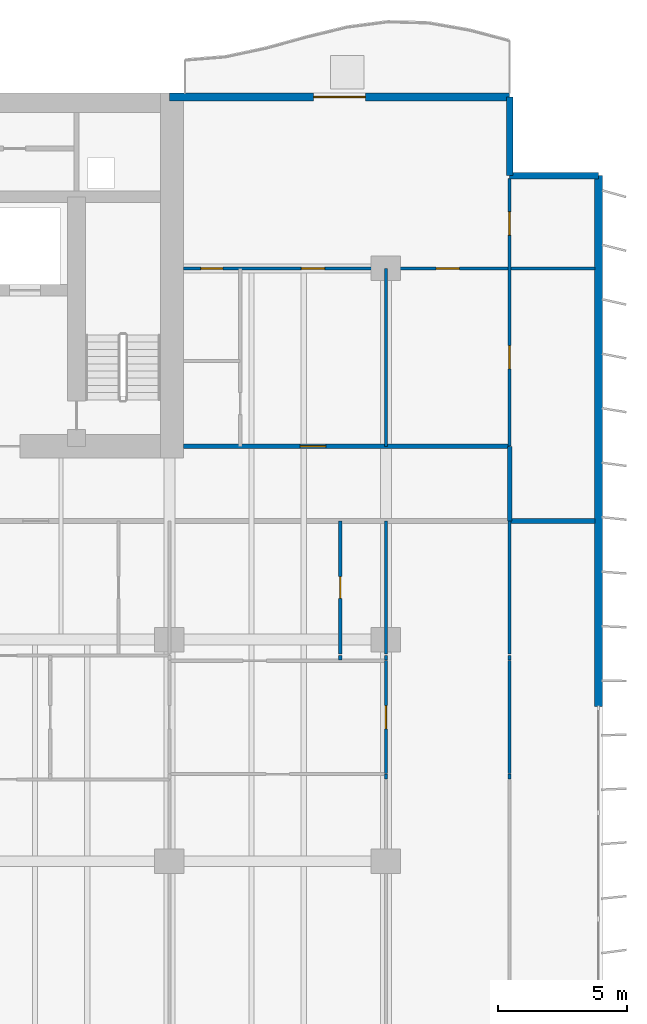
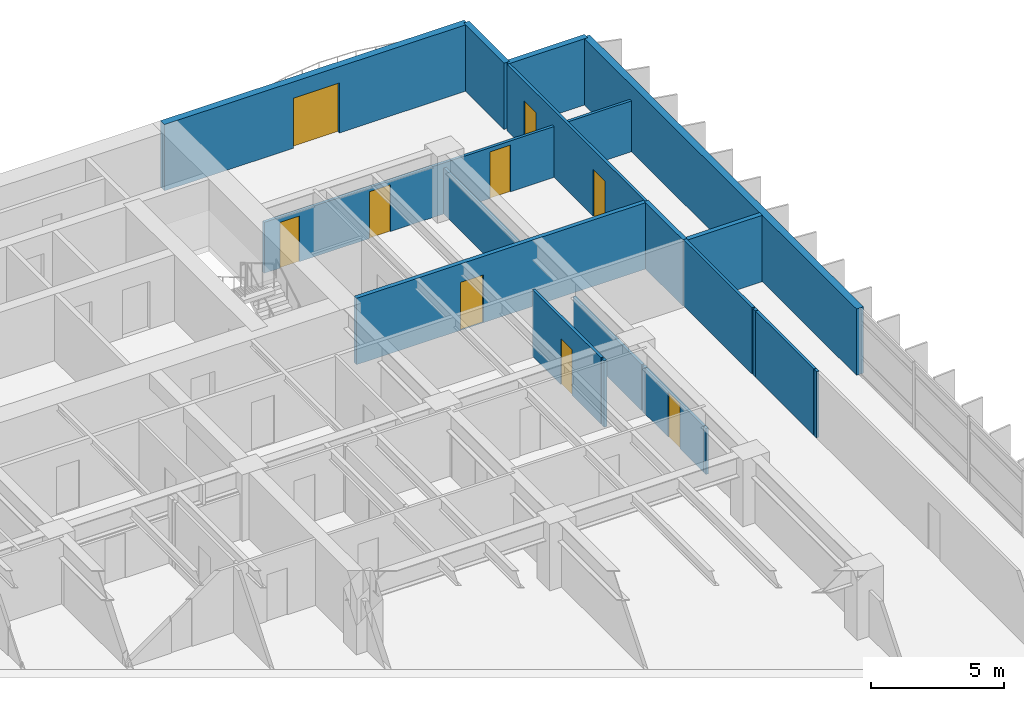
# One storey, part 13 of 18: 20 walls, 9 doors, 9 openings.
"""IFC4 building model written with IfcOpenShell, lengths in metres."""

from ifc_helpers import new_model, si_unit, direction, frame, frame_2d, origin, place, context, subcontext, project, spatial, rectangle, extrude, material, layer, layer_set, type_object, element, fill, save


model = new_model("IFC4")

# Units and contexts
model_context = context("Model", 3, precision=1e-05, world=origin(), true_north=direction((0.0, 1.0)))
body_context = subcontext(model_context, "Body", "Model", "MODEL_VIEW")
ifc_project = project(units=[si_unit("LENGTHUNIT", "METRE"), si_unit("AREAUNIT", "SQUARE_METRE"), si_unit("VOLUMEUNIT", "CUBIC_METRE"), si_unit("PLANEANGLEUNIT", "RADIAN"), si_unit("MASSUNIT", "GRAM", prefix="KILO")], contexts=[model_context])

# Site, building, storey
site_placement = place(None, origin())
site = spatial("IfcSite", under=ifc_project, at=site_placement, CompositionType="ELEMENT")
building_placement = place(site_placement, origin())
building = spatial("IfcBuilding", under=site, at=building_placement, Name="Caelmar Bay Residences", CompositionType="ELEMENT")
storey_placement = place(building_placement, frame((0.0, 0.0, 46.5)))
storey = spatial("IfcBuildingStorey", under=building, at=storey_placement, Name="L11", CompositionType="ELEMENT", Elevation=46.5)

# Wall
ifc_material_1 = material(Name="Double-stud acoustic fire-rated gypsum partition 180 mm")
ifc_layer_1 = layer(ifc_material_1, 0.179931640625)
ifc_layer_set_1 = layer_set([ifc_layer_1], Name="Double-stud acoustic fire-rated gypsum partition 180 mm")
wall_type_1 = type_object("IfcWallType", Name="W-COR-200", PredefinedType="PARTITIONING", material=ifc_layer_set_1)
wall_1_placement = place(storey_placement, frame((72.699951171875, 34.0048828125, 0.0), z_axis=(0.0, 0.0, 1.0), x_axis=(0.0, 1.0, 0.0)))
element("IfcWall", 1, at=wall_1_placement, inside=storey, type_object=wall_type_1, Name="L11 Partition Wall V111", PredefinedType="PARTITIONING", context=body_context, shape_type="SweptSolid", body=[
    extrude(rectangle(XDim=2.89501953125, YDim=0.179931640625, at=frame_2d((1.447509765625, 0.0))), origin(), (0.0, 0.0, 1.0), 3.050048828125),
])

# Wall, opening, door
wall_2_placement = place(storey_placement, frame((60.054931640625, 36.89990234375, 0.0), z_axis=(0.0, 0.0, 1.0), x_axis=(1.0, 0.0, 0.0)))
wall_2 = element("IfcWall", 2, at=wall_2_placement, inside=storey, type_object=wall_type_1, Name="L11 Partition Wall H140", PredefinedType="PARTITIONING", context=body_context, shape_type="SweptSolid", body=[
    extrude(rectangle(XDim=12.64501953125, YDim=0.179931640625, at=frame_2d((6.322509765625, 0.0))), origin(), (0.0, 0.0, 1.0), 3.050048828125),
])
opening_1_placement = place(wall_2_placement, frame((4.52001953125, 0.0, 0.0)))
opening_1 = element("IfcOpeningElement", 3, at=opening_1_placement, cuts=wall_2, Name="Opening D-L11-176", PredefinedType="OPENING", context=body_context, shape_type="SweptSolid", body=[
    extrude(rectangle(XDim=1.0, YDim=2.199951171875, at=frame_2d((0.5, 1.10009765625))), frame((0.0, 0.099853515625, 0.0), z_axis=(0.0, -1.0, 0.0), x_axis=(1.0, 0.0, 0.0)), (0.0, 0.0, 1.0), 0.199951171875),
])
ifc_material_2 = material(Name="Fire-rated steel and walnut architectural door assembly", Category="steel")
ifc_layer_2 = layer(ifc_material_2, 0.050048828125)
ifc_layer_set_2 = layer_set([ifc_layer_2], Name="Fire-rated steel and walnut architectural door assembly")
door_type_1 = type_object("IfcDoorType", Name="D-UNIT-1000", OperationType="NOTDEFINED", PredefinedType="DOOR", material=ifc_layer_set_2)
door_1_placement = place(opening_1_placement, origin())
door_1 = element("IfcDoor", 4, at=door_1_placement, inside=storey, type_object=door_type_1, Name="L11 Residence EA Kitchen Door", OperationType="SINGLE_SWING_LEFT", OverallHeight=2.199951171875, OverallWidth=1.0, PredefinedType="DOOR", context=body_context, shape_type="SweptSolid", body=[
    extrude(rectangle(XDim=1.0, YDim=2.199951171875, at=frame_2d((0.5, 1.10009765625))), frame((0.0, 0.02490234375, 0.0), z_axis=(0.0, -1.0, 0.0), x_axis=(1.0, 0.0, 0.0)), (0.0, 0.0, 1.0), 0.050048828125),
])
fill(opening_1, door_1)

# Walls
ifc_material_3 = material(Name="Precast concrete f'c 40 MPa (6,000 psi)", Category="concrete")
ifc_layer_3 = layer(ifc_material_3, 0.25)
ifc_layer_set_3 = layer_set([ifc_layer_3], Name="Precast concrete f'c 40 MPa (6,000 psi)")
wall_type_2 = type_object("IfcWallType", Name="W-EXT-250", PredefinedType="ELEMENTEDWALL", material=ifc_layer_set_3)
wall_3_placement = place(storey_placement, frame((72.699951171875, 50.449951171875, 0.0), z_axis=(0.0, 0.0, 1.0), x_axis=(0.0, -1.0, 0.0)))
element("IfcWall", 5, at=wall_3_placement, inside=storey, type_object=wall_type_2, Name="L11 NNE-V Notch Wall", PredefinedType="ELEMENTEDWALL", context=body_context, shape_type="SweptSolid", body=[
    extrude(rectangle(XDim=3.050048828125, YDim=0.25, at=frame_2d((1.52490234375, 0.0))), origin(), (0.0, 0.0, 1.0), 3.050048828125),
])
wall_4_placement = place(storey_placement, frame((72.699951171875, 47.39990234375, 0.0), z_axis=(0.0, 0.0, 1.0), x_axis=(1.0, 0.0, 0.0)))
element("IfcWall", 6, at=wall_4_placement, inside=storey, type_object=wall_type_2, Name="L11 NNE-H Notch Wall", PredefinedType="ELEMENTEDWALL", context=body_context, shape_type="SweptSolid", body=[
    extrude(rectangle(XDim=3.449951171875, YDim=0.25, at=frame_2d((1.72509765625, 0.0))), origin(), (0.0, 0.0, 1.0), 3.050048828125),
])
ifc_layer_4 = layer(ifc_material_3, 0.300048828125)
ifc_layer_set_4 = layer_set([ifc_layer_4], Name="Precast concrete f'c 40 MPa (6,000 psi)")
wall_type_3 = type_object("IfcWallType", Name="W-EXT-300", PredefinedType="STANDARD", material=ifc_layer_set_4)
wall_5_placement = place(storey_placement, frame((76.14990234375, 47.39990234375, 0.0), z_axis=(0.0, 0.0, 1.0), x_axis=(0.0, -1.0, 0.0)))
element("IfcWall", 7, at=wall_5_placement, inside=storey, type_object=wall_type_3, Name="L11 East Rear Exterior Wall", PredefinedType="STANDARD", context=body_context, shape_type="SweptSolid", body=[
    extrude(rectangle(XDim=20.599853515625, YDim=0.300048828125, at=frame_2d((10.2998046875, 0.0))), origin(), (0.0, 0.0, 1.0), 3.050048828125),
])

# Wall, opening, door
wall_6_placement = place(storey_placement, frame((59.5, 50.449951171875, 0.0), z_axis=(0.0, 0.0, 1.0), x_axis=(1.0, 0.0, 0.0)))
wall_6 = element("IfcWall", 8, at=wall_6_placement, inside=storey, type_object=wall_type_3, Name="L11 North-East Wing Exterior Wall", PredefinedType="STANDARD", context=body_context, shape_type="SweptSolid", body=[
    extrude(rectangle(XDim=13.199951171875, YDim=0.300048828125, at=frame_2d((6.60009765625, 0.0))), origin(), (0.0, 0.0, 1.0), 3.050048828125),
])
opening_2_placement = place(wall_6_placement, frame((5.60009765625, 0.0, 0.0)))
opening_2 = element("IfcOpeningElement", 9, at=opening_2_placement, cuts=wall_6, Name="Opening L11-BDNE", PredefinedType="OPENING", context=body_context, shape_type="SweptSolid", body=[
    extrude(rectangle(XDim=2.0, YDim=2.300048828125, at=frame_2d((1.0, 1.14990234375))), frame((0.0, 0.159912109375, 0.0), z_axis=(0.0, -1.0, 0.0), x_axis=(1.0, 0.0, 0.0)), (0.0, 0.0, 1.0), 0.320068359375),
])
ifc_material_4 = material(Name="Anodised bronze thermally broken sliding glass door", Category="glass")
ifc_layer_5 = layer(ifc_material_4, 0.050048828125)
ifc_layer_set_5 = layer_set([ifc_layer_5], Name="Anodised bronze thermally broken sliding glass door")
door_type_2 = type_object("IfcDoorType", Name="D-BAL-2000", OperationType="DOUBLE_DOOR_SLIDING", PredefinedType="DOOR", material=ifc_layer_set_5)
door_2_placement = place(opening_2_placement, origin())
door_2 = element("IfcDoor", 10, at=door_2_placement, inside=storey, type_object=door_type_2, Name="L11 North-East Balcony Door", OperationType="DOUBLE_DOOR_SLIDING", OverallHeight=2.300048828125, OverallWidth=2.0, PredefinedType="DOOR", context=body_context, shape_type="SweptSolid", body=[
    extrude(rectangle(XDim=2.0, YDim=2.300048828125, at=frame_2d((1.0, 1.14990234375))), frame((0.0, 0.02490234375, 0.0), z_axis=(0.0, -1.0, 0.0), x_axis=(1.0, 0.0, 0.0)), (0.0, 0.0, 1.0), 0.050048828125),
])
fill(opening_2, door_2)

# Wall
ifc_material_5 = material(Name="Acoustic metal-stud gypsum partition 120 mm")
ifc_layer_6 = layer(ifc_material_5, 0.1201171875)
ifc_layer_set_6 = layer_set([ifc_layer_6], Name="Acoustic metal-stud gypsum partition 120 mm")
wall_type_4 = type_object("IfcWallType", Name="W-PRT-120", PredefinedType="PARTITIONING", material=ifc_layer_set_6)
wall_7_placement = place(storey_placement, frame((66.12890625, 28.60009765625, 0.0), z_axis=(0.0, 0.0, 1.0), x_axis=(0.0, 1.0, 0.0)))
element("IfcWall", 11, at=wall_7_placement, inside=storey, type_object=wall_type_4, Name="L11 Partition Wall V097", PredefinedType="PARTITIONING", context=body_context, shape_type="SweptSolid", body=[
    extrude(rectangle(XDim=0.179931640625, YDim=0.1201171875, at=frame_2d((0.08984375, 0.0))), origin(), (0.0, 0.0, 1.0), 3.050048828125),
])

# Wall, opening, door
wall_8_placement = place(storey_placement, frame((66.12890625, 28.840087890625, 0.0), z_axis=(0.0, 0.0, 1.0), x_axis=(0.0, 1.0, 0.0)))
wall_8 = element("IfcWall", 12, at=wall_8_placement, inside=storey, type_object=wall_type_4, Name="L11 Partition Wall V098", PredefinedType="PARTITIONING", context=body_context, shape_type="SweptSolid", body=[
    extrude(rectangle(XDim=5.159912109375, YDim=0.1201171875, at=frame_2d((2.580078125, 0.0))), origin(), (0.0, 0.0, 1.0), 3.050048828125),
])
opening_3_placement = place(wall_8_placement, frame((2.155029296875, 0.0, 0.0)))
opening_3 = element("IfcOpeningElement", 13, at=opening_3_placement, cuts=wall_8, Name="Opening D-L11-162", PredefinedType="OPENING", context=body_context, shape_type="SweptSolid", body=[
    extrude(rectangle(XDim=0.85009765625, YDim=2.10009765625, at=frame_2d((0.425048828125, 1.050048828125))), frame((0.0, 0.070068359375, 0.0), z_axis=(0.0, -1.0, 0.0), x_axis=(1.0, 0.0, 0.0)), (0.0, 0.0, 1.0), 0.14013671875),
])
ifc_material_6 = material(Name="Solid walnut timber interior door leaf and frame", Category="wood")
ifc_layer_7 = layer(ifc_material_6, 0.050048828125)
ifc_layer_set_7 = layer_set([ifc_layer_7], Name="Solid walnut timber interior door leaf and frame")
door_type_3 = type_object("IfcDoorType", Name="D-BATH-850", OperationType="NOTDEFINED", PredefinedType="DOOR", material=ifc_layer_set_7)
door_3_placement = place(opening_3_placement, origin())
door_3 = element("IfcDoor", 14, at=door_3_placement, inside=storey, type_object=door_type_3, Name="L11 Residence 05 En-Suite Bathroom 1 Door", OperationType="SINGLE_SWING_LEFT", OverallHeight=2.10009765625, OverallWidth=0.85009765625, PredefinedType="DOOR", context=body_context, shape_type="SweptSolid", body=[
    extrude(rectangle(XDim=0.85009765625, YDim=2.10009765625, at=frame_2d((0.425048828125, 1.050048828125))), frame((0.0, 0.02490234375, 0.0), z_axis=(0.0, -1.0, 0.0), x_axis=(1.0, 0.0, 0.0)), (0.0, 0.0, 1.0), 0.050048828125),
])
fill(opening_3, door_3)

# Wall
wall_9_placement = place(storey_placement, frame((67.89990234375, 24.0, 0.0), z_axis=(0.0, 0.0, 1.0), x_axis=(0.0, 1.0, 0.0)))
element("IfcWall", 15, at=wall_9_placement, inside=storey, type_object=wall_type_4, Name="L11 Partition Wall V101", PredefinedType="PARTITIONING", context=body_context, shape_type="SweptSolid", body=[
    extrude(rectangle(XDim=0.179931640625, YDim=0.1201171875, at=frame_2d((0.08984375, 0.0))), origin(), (0.0, 0.0, 1.0), 2.110107421875),
])

# Wall, opening, door
wall_10_placement = place(storey_placement, frame((67.89990234375, 24.199951171875, 0.0), z_axis=(0.0, 0.0, 1.0), x_axis=(0.0, 1.0, 0.0)))
wall_10 = element("IfcWall", 16, at=wall_10_placement, inside=storey, type_object=wall_type_4, Name="L11 Partition Wall V102", PredefinedType="PARTITIONING", context=body_context, shape_type="SweptSolid", body=[
    extrude(rectangle(XDim=4.380126953125, YDim=0.1201171875, at=frame_2d((2.18994140625, 0.0))), origin(), (0.0, 0.0, 1.0), 2.110107421875),
])
opening_4_placement = place(wall_10_placement, frame((1.739990234375, 0.0, 0.0)))
opening_4 = element("IfcOpeningElement", 17, at=opening_4_placement, cuts=wall_10, Name="Opening D-L11-165", PredefinedType="OPENING", context=body_context, shape_type="SweptSolid", body=[
    extrude(rectangle(XDim=0.89990234375, YDim=2.06005859375, at=frame_2d((0.449951171875, 1.030029296875))), frame((0.0, 0.070068359375, 0.0), z_axis=(0.0, -1.0, 0.0), x_axis=(1.0, 0.0, 0.0)), (0.0, 0.0, 1.0), 0.14013671875),
])
ifc_layer_8 = layer(ifc_material_6, 0.050048828125)
ifc_layer_set_8 = layer_set([ifc_layer_8], Name="Solid walnut timber interior door leaf and frame")
door_type_4 = type_object("IfcDoorType", Name="D-ROOM-900", OperationType="NOTDEFINED", PredefinedType="DOOR", material=ifc_layer_set_8)
door_4_placement = place(opening_4_placement, origin())
door_4 = element("IfcDoor", 18, at=door_4_placement, inside=storey, type_object=door_type_4, Name="L11 Residence 05 East Apartment Hall Door", OperationType="SINGLE_SWING_RIGHT", OverallHeight=2.06005859375, OverallWidth=0.89990234375, PredefinedType="DOOR", context=body_context, shape_type="SweptSolid", body=[
    extrude(rectangle(XDim=0.89990234375, YDim=2.06005859375, at=frame_2d((0.449951171875, 1.030029296875))), frame((0.0, 0.02490234375, 0.0), z_axis=(0.0, -1.0, 0.0), x_axis=(1.0, 0.0, 0.0)), (0.0, 0.0, 1.0), 0.050048828125),
])
fill(opening_4, door_4)

# Walls
wall_11_placement = place(storey_placement, frame((67.89990234375, 28.60009765625, 0.0), z_axis=(0.0, 0.0, 1.0), x_axis=(0.0, 1.0, 0.0)))
element("IfcWall", 19, at=wall_11_placement, inside=storey, type_object=wall_type_4, Name="L11 Partition Wall V103", PredefinedType="PARTITIONING", context=body_context, shape_type="SweptSolid", body=[
    extrude(rectangle(XDim=0.179931640625, YDim=0.1201171875, at=frame_2d((0.08984375, 0.0))), origin(), (0.0, 0.0, 1.0), 2.110107421875),
])
wall_12_placement = place(storey_placement, frame((67.89990234375, 28.840087890625, 0.0), z_axis=(0.0, 0.0, 1.0), x_axis=(0.0, 1.0, 0.0)))
element("IfcWall", 20, at=wall_12_placement, inside=storey, type_object=wall_type_4, Name="L11 Partition Wall V104", PredefinedType="PARTITIONING", context=body_context, shape_type="SweptSolid", body=[
    extrude(rectangle(XDim=5.159912109375, YDim=0.1201171875, at=frame_2d((2.580078125, 0.0))), origin(), (0.0, 0.0, 1.0), 2.110107421875),
])
wall_13_placement = place(storey_placement, frame((67.89990234375, 36.89990234375, 0.0), z_axis=(0.0, 0.0, 1.0), x_axis=(0.0, 1.0, 0.0)))
element("IfcWall", 21, at=wall_13_placement, inside=storey, type_object=wall_type_4, Name="L11 Partition Wall V105", PredefinedType="PARTITIONING", context=body_context, shape_type="SweptSolid", body=[
    extrude(rectangle(XDim=6.900146484375, YDim=0.1201171875, at=frame_2d((3.4501953125, 0.0))), origin(), (0.0, 0.0, 1.0), 2.110107421875),
])
wall_14_placement = place(storey_placement, frame((72.699951171875, 24.0, 0.0), z_axis=(0.0, 0.0, 1.0), x_axis=(0.0, 1.0, 0.0)))
element("IfcWall", 22, at=wall_14_placement, inside=storey, type_object=wall_type_4, Name="L11 Partition Wall V107", PredefinedType="PARTITIONING", context=body_context, shape_type="SweptSolid", body=[
    extrude(rectangle(XDim=0.179931640625, YDim=0.1201171875, at=frame_2d((0.08984375, 0.0))), origin(), (0.0, 0.0, 1.0), 3.050048828125),
])
wall_15_placement = place(storey_placement, frame((72.699951171875, 24.199951171875, 0.0), z_axis=(0.0, 0.0, 1.0), x_axis=(0.0, 1.0, 0.0)))
element("IfcWall", 23, at=wall_15_placement, inside=storey, type_object=wall_type_4, Name="L11 Partition Wall V108", PredefinedType="PARTITIONING", context=body_context, shape_type="SweptSolid", body=[
    extrude(rectangle(XDim=4.380126953125, YDim=0.1201171875, at=frame_2d((2.18994140625, 0.0))), origin(), (0.0, 0.0, 1.0), 3.050048828125),
])
wall_16_placement = place(storey_placement, frame((72.699951171875, 28.60009765625, 0.0), z_axis=(0.0, 0.0, 1.0), x_axis=(0.0, 1.0, 0.0)))
element("IfcWall", 24, at=wall_16_placement, inside=storey, type_object=wall_type_4, Name="L11 Partition Wall V109", PredefinedType="PARTITIONING", context=body_context, shape_type="SweptSolid", body=[
    extrude(rectangle(XDim=0.179931640625, YDim=0.1201171875, at=frame_2d((0.08984375, 0.0))), origin(), (0.0, 0.0, 1.0), 3.050048828125),
])
wall_17_placement = place(storey_placement, frame((72.699951171875, 28.840087890625, 0.0), z_axis=(0.0, 0.0, 1.0), x_axis=(0.0, 1.0, 0.0)))
element("IfcWall", 25, at=wall_17_placement, inside=storey, type_object=wall_type_4, Name="L11 Partition Wall V110", PredefinedType="PARTITIONING", context=body_context, shape_type="SweptSolid", body=[
    extrude(rectangle(XDim=5.159912109375, YDim=0.1201171875, at=frame_2d((2.580078125, 0.0))), origin(), (0.0, 0.0, 1.0), 3.050048828125),
])

# Wall, openings, doors
wall_18_placement = place(storey_placement, frame((72.699951171875, 36.905029296875, 0.0), z_axis=(0.0, 0.0, 1.0), x_axis=(0.0, 1.0, 0.0)))
wall_18 = element("IfcWall", 26, at=wall_18_placement, inside=storey, type_object=wall_type_4, Name="L11 Partition Wall V112", PredefinedType="PARTITIONING", context=body_context, shape_type="SweptSolid", body=[
    extrude(rectangle(XDim=10.375, YDim=0.1201171875, at=frame_2d((5.1875, 0.0))), origin(), (0.0, 0.0, 1.0), 3.050048828125),
])
opening_5_placement = place(wall_18_placement, frame((2.99755859375, 0.0, 0.0)))
opening_5 = element("IfcOpeningElement", 27, at=opening_5_placement, cuts=wall_18, Name="Opening D-L11-180", PredefinedType="OPENING", context=body_context, shape_type="SweptSolid", body=[
    extrude(rectangle(XDim=0.89990234375, YDim=2.14990234375, at=frame_2d((0.449951171875, 1.074951171875))), frame((0.0, 0.070068359375, 0.0), z_axis=(0.0, -1.0, 0.0), x_axis=(1.0, 0.0, 0.0)), (0.0, 0.0, 1.0), 0.14013671875),
])
opening_6_placement = place(wall_18_placement, frame((8.18505859375, 0.0, 0.0)))
opening_6 = element("IfcOpeningElement", 28, at=opening_6_placement, cuts=wall_18, Name="Opening D-L11-181", PredefinedType="OPENING", context=body_context, shape_type="SweptSolid", body=[
    extrude(rectangle(XDim=0.89990234375, YDim=2.14990234375, at=frame_2d((0.449951171875, 1.074951171875))), frame((0.0, 0.070068359375, 0.0), z_axis=(0.0, -1.0, 0.0), x_axis=(1.0, 0.0, 0.0)), (0.0, 0.0, 1.0), 0.14013671875),
])
door_5_placement = place(opening_5_placement, origin())
door_5 = element("IfcDoor", 29, at=door_5_placement, inside=storey, type_object=door_type_4, Name="L11 Residence EA Sun Study Door", OperationType="SINGLE_SWING_LEFT", OverallHeight=2.14990234375, OverallWidth=0.89990234375, PredefinedType="DOOR", context=body_context, shape_type="SweptSolid", body=[
    extrude(rectangle(XDim=0.89990234375, YDim=2.14990234375, at=frame_2d((0.449951171875, 1.074951171875))), frame((0.0, 0.02490234375, 0.0), z_axis=(0.0, -1.0, 0.0), x_axis=(1.0, 0.0, 0.0)), (0.0, 0.0, 1.0), 0.050048828125),
])
fill(opening_5, door_5)
door_6_placement = place(opening_6_placement, origin())
door_6 = element("IfcDoor", 30, at=door_6_placement, inside=storey, type_object=door_type_4, Name="L11 Residence EA North Sitting Alcove Door", OperationType="SINGLE_SWING_RIGHT", OverallHeight=2.14990234375, OverallWidth=0.89990234375, PredefinedType="DOOR", context=body_context, shape_type="SweptSolid", body=[
    extrude(rectangle(XDim=0.89990234375, YDim=2.14990234375, at=frame_2d((0.449951171875, 1.074951171875))), frame((0.0, 0.02490234375, 0.0), z_axis=(0.0, -1.0, 0.0), x_axis=(1.0, 0.0, 0.0)), (0.0, 0.0, 1.0), 0.050048828125),
])
fill(opening_6, door_6)

wall_19_placement = place(storey_placement, frame((60.044921875, 43.800048828125, 0.0), z_axis=(0.0, 0.0, 1.0), x_axis=(1.0, 0.0, 0.0)))
wall_19 = element("IfcWall", 31, at=wall_19_placement, inside=storey, type_object=wall_type_4, Name="L11 Partition Wall H144", PredefinedType="PARTITIONING", context=body_context, shape_type="SweptSolid", body=[
    extrude(rectangle(XDim=15.9599609375, YDim=0.1201171875, at=frame_2d((7.97998046875, 0.0))), origin(), (0.0, 0.0, 1.0), 2.339111328125),
])
opening_7_placement = place(wall_19_placement, frame((9.804931640625, 0.0, 0.0)))
opening_7 = element("IfcOpeningElement", 32, at=opening_7_placement, cuts=wall_19, Name="Opening D-L11-175", PredefinedType="OPENING", context=body_context, shape_type="SweptSolid", body=[
    extrude(rectangle(XDim=0.89990234375, YDim=2.14990234375, at=frame_2d((0.449951171875, 1.074951171875))), frame((0.0, 0.070068359375, 0.0), z_axis=(0.0, -1.0, 0.0), x_axis=(1.0, 0.0, 0.0)), (0.0, 0.0, 1.0), 0.14013671875),
])
opening_8_placement = place(wall_19_placement, frame((4.580078125, 0.0, 0.0)))
opening_8 = element("IfcOpeningElement", 33, at=opening_8_placement, cuts=wall_19, Name="Opening D-L11-177", PredefinedType="OPENING", context=body_context, shape_type="SweptSolid", body=[
    extrude(rectangle(XDim=0.89990234375, YDim=2.14990234375, at=frame_2d((0.449951171875, 1.074951171875))), frame((0.0, 0.070068359375, 0.0), z_axis=(0.0, -1.0, 0.0), x_axis=(1.0, 0.0, 0.0)), (0.0, 0.0, 1.0), 0.14013671875),
])
opening_9_placement = place(wall_19_placement, frame((0.677490234375, 0.0, 0.0)))
opening_9 = element("IfcOpeningElement", 34, at=opening_9_placement, cuts=wall_19, Name="Opening D-L11-179", PredefinedType="OPENING", context=body_context, shape_type="SweptSolid", body=[
    extrude(rectangle(XDim=0.85009765625, YDim=2.10009765625, at=frame_2d((0.425048828125, 1.050048828125))), frame((0.0, 0.070068359375, 0.0), z_axis=(0.0, -1.0, 0.0), x_axis=(1.0, 0.0, 0.0)), (0.0, 0.0, 1.0), 0.14013671875),
])
door_7_placement = place(opening_9_placement, origin())
door_7 = element("IfcDoor", 35, at=door_7_placement, inside=storey, type_object=door_type_3, Name="L11 Residence EA Bathroom Door", OperationType="SINGLE_SWING_RIGHT", OverallHeight=2.10009765625, OverallWidth=0.85009765625, PredefinedType="DOOR", context=body_context, shape_type="SweptSolid", body=[
    extrude(rectangle(XDim=0.85009765625, YDim=2.10009765625, at=frame_2d((0.425048828125, 1.050048828125))), frame((0.0, 0.02490234375, 0.0), z_axis=(0.0, -1.0, 0.0), x_axis=(1.0, 0.0, 0.0)), (0.0, 0.0, 1.0), 0.050048828125),
])
fill(opening_9, door_7)
door_8_placement = place(opening_7_placement, origin())
door_8 = element("IfcDoor", 36, at=door_8_placement, inside=storey, type_object=door_type_4, Name="L11 Residence EA Study Door", OperationType="SINGLE_SWING_RIGHT", OverallHeight=2.14990234375, OverallWidth=0.89990234375, PredefinedType="DOOR", context=body_context, shape_type="SweptSolid", body=[
    extrude(rectangle(XDim=0.89990234375, YDim=2.14990234375, at=frame_2d((0.449951171875, 1.074951171875))), frame((0.0, 0.02490234375, 0.0), z_axis=(0.0, -1.0, 0.0), x_axis=(1.0, 0.0, 0.0)), (0.0, 0.0, 1.0), 0.050048828125),
])
fill(opening_7, door_8)
door_9_placement = place(opening_8_placement, origin())
door_9 = element("IfcDoor", 37, at=door_9_placement, inside=storey, type_object=door_type_4, Name="L11 Residence EA Studio Living and Sleeping Room Door", OperationType="SINGLE_SWING_RIGHT", OverallHeight=2.14990234375, OverallWidth=0.89990234375, PredefinedType="DOOR", context=body_context, shape_type="SweptSolid", body=[
    extrude(rectangle(XDim=0.89990234375, YDim=2.14990234375, at=frame_2d((0.449951171875, 1.074951171875))), frame((0.0, 0.02490234375, 0.0), z_axis=(0.0, -1.0, 0.0), x_axis=(1.0, 0.0, 0.0)), (0.0, 0.0, 1.0), 0.050048828125),
])
fill(opening_8, door_9)

# Wall
ifc_material_7 = material(Name="Acoustic twin-stud fire-rated inter-tenancy partition 200 mm")
ifc_layer_9 = layer(ifc_material_7, 0.199951171875)
ifc_layer_set_9 = layer_set([ifc_layer_9], Name="Acoustic twin-stud fire-rated inter-tenancy partition 200 mm")
wall_type_5 = type_object("IfcWallType", Name="W-PTY-200", PredefinedType="PARTITIONING", material=ifc_layer_set_9)
wall_20_placement = place(storey_placement, frame((72.705078125, 34.0, 0.0), z_axis=(0.0, 0.0, 1.0), x_axis=(1.0, 0.0, 0.0)))
element("IfcWall", 38, at=wall_20_placement, inside=storey, type_object=wall_type_5, Name="L11 Partition Wall H138", PredefinedType="PARTITIONING", context=body_context, shape_type="SweptSolid", body=[
    extrude(rectangle(XDim=3.2998046875, YDim=0.199951171875, at=frame_2d((1.64990234375, 0.0))), origin(), (0.0, 0.0, 1.0), 3.050048828125),
])

save(model, "model.ifc")
